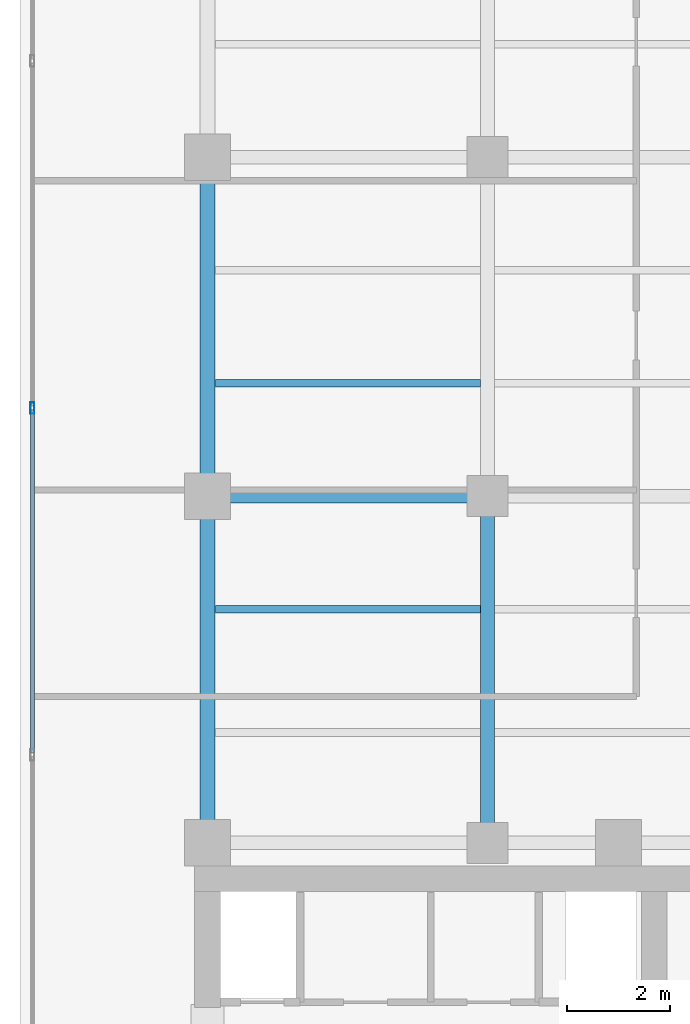
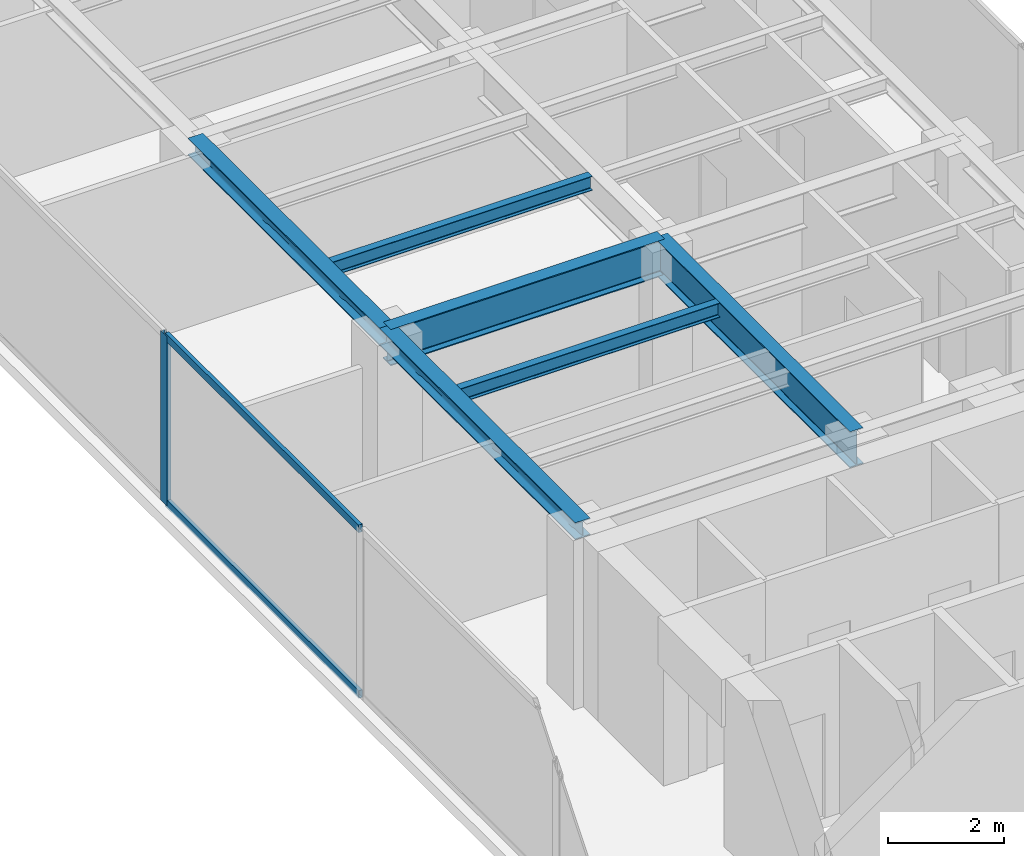
# One storey, part 8 of 23: 6 beams, 3 members, 1 element without a shape of its own.
"""IFC4 building model written with IfcOpenShell, lengths in metres."""

from ifc_helpers import new_model, si_unit, direction, frame, origin, origin_with_axes, origin_2d, place, context, subcontext, project, spatial, hollow_rectangle, i_section, extrude, source, transform, mapped, material, layer, layer_set, material_profile, profile_set, type_object, element, aggregate, save


model = new_model("IFC4")

# Units and contexts
model_context = context("Model", 3, precision=1e-05, world=origin(), true_north=direction((0.0, 1.0)))
body_context = subcontext(model_context, "Body", "Model", "MODEL_VIEW")
ifc_project = project(units=[si_unit("LENGTHUNIT", "METRE"), si_unit("AREAUNIT", "SQUARE_METRE"), si_unit("VOLUMEUNIT", "CUBIC_METRE"), si_unit("PLANEANGLEUNIT", "RADIAN"), si_unit("MASSUNIT", "GRAM", prefix="KILO")], contexts=[model_context])

# Site, building, storey
site_placement = place(None, origin())
site = spatial("IfcSite", under=ifc_project, at=site_placement, CompositionType="ELEMENT")
building_placement = place(site_placement, origin())
building = spatial("IfcBuilding", under=site, at=building_placement, Name="Kolvaren Waterfront Exchange", CompositionType="ELEMENT")
storey_placement = place(building_placement, frame((0.0, 0.0, 270.39990234375)))
storey = spatial("IfcBuildingStorey", under=building, at=storey_placement, Name="L69", CompositionType="ELEMENT", Elevation=270.39990234375)

# Beams
ifc_material_1 = material(Name="Steel S355", Category="steel")
ifc_material_profile_1 = material_profile(ifc_material_1, i_section(OverallWidth=0.300048828125, OverallDepth=0.360107421875, WebThickness=0.012451171875, FlangeThickness=0.0224609375, FilletRadius=0.027099609375, at=origin_2d()), Name="HEB360")
ifc_profile_set_1 = profile_set([ifc_material_profile_1], Name="Steel S355")
beam_type_1 = type_object("IfcBeamType", Name="STR-BM-HEB360", PredefinedType="SPANDREL", material=ifc_profile_set_1)
beam_1_placement = place(storey_placement, frame((7.449951171875, 24.449951171875, 3.380126953125), z_axis=(0.0, 1.0, 0.0), x_axis=(-1.0, 0.0, 0.0)))
element("IfcBeam", 1, at=beam_1_placement, inside=storey, type_object=beam_type_1, Name="L69 north-arm edge beam 1", PredefinedType="SPANDREL", context=body_context, shape_type="SweptSolid", body=[
    extrude(i_section(OverallWidth=0.300048828125, OverallDepth=0.360107421875, WebThickness=0.012451171875, FlangeThickness=0.0224609375, FilletRadius=0.027099609375, at=origin_2d()), origin(), (0.0, 0.0, 1.0), 6.75),
])
beam_2_placement = place(storey_placement, frame((7.449951171875, 31.199951171875, 3.380126953125), z_axis=(0.0, 1.0, 0.0), x_axis=(-1.0, 0.0, 0.0)))
element("IfcBeam", 2, at=beam_2_placement, inside=storey, type_object=beam_type_1, Name="L69 north-arm edge beam 2", PredefinedType="SPANDREL", context=body_context, shape_type="SweptSolid", body=[
    extrude(i_section(OverallWidth=0.300048828125, OverallDepth=0.360107421875, WebThickness=0.012451171875, FlangeThickness=0.0224609375, FilletRadius=0.027099609375, at=origin_2d()), origin(), (0.0, 0.0, 1.0), 6.60009765625),
])
ifc_material_profile_2 = material_profile(ifc_material_1, i_section(OverallWidth=0.14990234375, OverallDepth=0.300048828125, WebThickness=0.007080078125, FlangeThickness=0.0107421875, FilletRadius=0.014892578125, at=origin_2d()), Name="IPE300")
ifc_profile_set_2 = profile_set([ifc_material_profile_2], Name="Steel S355")
beam_type_2 = type_object("IfcBeamType", Name="STR-BM-IPE300", PredefinedType="JOIST", material=ifc_profile_set_2)
for number, where, z_axis, x_axis, name in (
    (3, (7.60205078125, 29.0, 3.41015625), (1.0, 0.0, 0.0), (0.0, 1.0, 0.0), "L69 north-arm composite joist 2A"),
    (4, (7.60205078125, 33.39990234375, 3.41015625), (1.0, 0.0, 0.0), (0.0, 1.0, 0.0), "L69 north-arm composite joist 3A"),
):
    element("IfcBeam", number, at=place(storey_placement, frame(where, z_axis=z_axis, x_axis=x_axis)), inside=storey, type_object=beam_type_2, Name=name, PredefinedType="JOIST", context=body_context, shape_type="SweptSolid", body=[
        extrude(i_section(OverallWidth=0.14990234375, OverallDepth=0.300048828125, WebThickness=0.007080078125, FlangeThickness=0.0107421875, FilletRadius=0.014892578125, at=origin_2d()), origin(), (0.0, 0.0, 1.0), 5.162353515625),
    ])
ifc_material_profile_3 = material_profile(ifc_material_1, i_section(OverallWidth=0.26708984375, OverallDepth=0.761962890625, WebThickness=0.014404296875, FlangeThickness=0.021484375, FilletRadius=0.01708984375, at=origin_2d()), Name="IPE750x173")
ifc_profile_set_3 = profile_set([ifc_material_profile_3], Name="Steel S355")
beam_type_3 = type_object("IfcBeamType", Name="STR-BM-IPE750", PredefinedType="BEAM", material=ifc_profile_set_3)
beam_3_placement = place(storey_placement, frame((7.449951171875, 31.199951171875, 3.17919921875), z_axis=(1.0, 0.0, 0.0), x_axis=(0.0, 1.0, 0.0)))
element("IfcBeam", 5, at=beam_3_placement, inside=storey, type_object=beam_type_3, Name="L69 north-arm girder 2A", PredefinedType="BEAM", context=body_context, shape_type="SweptSolid", body=[
    extrude(i_section(OverallWidth=0.26708984375, OverallDepth=0.761962890625, WebThickness=0.014404296875, FlangeThickness=0.021484375, FilletRadius=0.01708984375, at=origin_2d()), origin(), (0.0, 0.0, 1.0), 5.449951171875),
])
beam_4_placement = place(storey_placement, frame((12.89990234375, 24.449951171875, 3.17919921875), z_axis=(0.0, 1.0, 0.0), x_axis=(-1.0, 0.0, 0.0)))
element("IfcBeam", 6, at=beam_4_placement, inside=storey, type_object=beam_type_3, Name="L69 north-arm edge beam 1", PredefinedType="BEAM", context=body_context, shape_type="SweptSolid", body=[
    extrude(i_section(OverallWidth=0.26708984375, OverallDepth=0.761962890625, WebThickness=0.014404296875, FlangeThickness=0.021484375, FilletRadius=0.01708984375, at=origin_2d()), origin(), (0.0, 0.0, 1.0), 6.75),
])

# Curtain wall, members
ifc_material_2 = material(Name="Anodised aluminium 6063-T6", Category="aluminium")
ifc_layer = layer(ifc_material_2, 0.219970703125, Name="Anodised aluminium 6063-T6")
ifc_layer_set = layer_set([ifc_layer], Name="Anodised aluminium 6063-T6")
curtain_wall_type = type_object("IfcCurtainWallType", Name="ARC-CW-SYS2", PredefinedType="USERDEFINED", material=ifc_layer_set)
curtain_wall_placement = place(storey_placement, origin())
curtain_wall = element("IfcCurtainWall", 7, at=curtain_wall_placement, inside=storey, type_object=curtain_wall_type, Name="L69 stick curtain wall CW2 (CW-L69-W)", ObjectType="STICK CURTAIN WALL", PredefinedType="USERDEFINED")
ifc_material_profile_4 = material_profile(ifc_material_2, hollow_rectangle(XDim=0.080078125, YDim=0.219970703125, WallThickness=0.0048828125, at=origin_2d()), Name="ALU-MUL-220x80x5")
ifc_profile_set_4 = profile_set([ifc_material_profile_4], Name="Anodised aluminium 6063-T6")
member_type_1 = type_object("IfcMemberType", Name="ARC-CWM-220", PredefinedType="MULLION", material=ifc_profile_set_4)
shared_shape_1 = source(origin_with_axes(), body_context, "Body", "SweptSolid", [
    extrude(hollow_rectangle(XDim=0.080078125, YDim=0.219970703125, WallThickness=0.0048828125, at=origin_2d()), origin(), (0.0, 0.0, 1.0), 3.56005859375),
])
member_1_placement = place(storey_placement, frame((4.0400390625, 32.91748046875, 0.0), z_axis=(0.0, 0.0, 1.0), x_axis=(-1.0, 0.0, 0.0)))
member_1 = element("IfcMember", 8, at=member_1_placement, type_object=member_type_1, Name="CW2 mullion 5", PredefinedType="MULLION", context=body_context, shape_type="MappedRepresentation", body=[
    mapped(shared_shape_1, transform((0.0, 0.0, 0.0), x_axis=(1.0, 0.0, 0.0), y_axis=(0.0, 1.0, 0.0), z_axis=(0.0, 0.0, 1.0), scale=1.0)),
])
ifc_material_profile_5 = material_profile(ifc_material_2, hollow_rectangle(XDim=0.074951171875, YDim=0.159912109375, WallThickness=0.00439453125, at=origin_2d()), Name="ALU-TRN-160x75x4.5")
ifc_profile_set_5 = profile_set([ifc_material_profile_5], Name="Anodised aluminium 6063-T6")
member_type_2 = type_object("IfcMemberType", Name="ARC-CWT-160", PredefinedType="USERDEFINED", material=ifc_profile_set_5)
shared_shape_2 = source(origin_with_axes(), body_context, "Body", "SweptSolid", [
    extrude(hollow_rectangle(XDim=0.074951171875, YDim=0.159912109375, WallThickness=0.00439453125, at=origin_2d()), origin(), (0.0, 0.0, 1.0), 6.67431640625),
])
member_2_placement = place(storey_placement, frame((4.0400390625, 26.203125, 0.03759765625), z_axis=(0.0, 1.0, 0.0), x_axis=(-1.0, 0.0, 0.0)))
member_2 = element("IfcMember", 9, at=member_2_placement, type_object=member_type_2, Name="CW2 transom 4.1", ObjectType="TRANSOM", PredefinedType="USERDEFINED", context=body_context, shape_type="MappedRepresentation", body=[
    mapped(shared_shape_2, transform((0.0, 0.0, 0.0), x_axis=(1.0, 0.0, 0.0), y_axis=(0.0, 1.0, 0.0), z_axis=(0.0, 0.0, 1.0), scale=1.0)),
])
member_3_placement = place(storey_placement, frame((4.0400390625, 26.203125, 3.522705078125), z_axis=(0.0, 1.0, 0.0), x_axis=(-1.0, 0.0, 0.0)))
member_3 = element("IfcMember", 10, at=member_3_placement, type_object=member_type_2, Name="CW2 transom 4.2", ObjectType="TRANSOM", PredefinedType="USERDEFINED", context=body_context, shape_type="MappedRepresentation", body=[
    mapped(shared_shape_2, transform((0.0, 0.0, 0.0), x_axis=(1.0, 0.0, 0.0), y_axis=(0.0, 1.0, 0.0), z_axis=(0.0, 0.0, 1.0), scale=1.0)),
])
aggregate(curtain_wall, [member_1, member_2, member_3])

save(model, "model.ifc")
